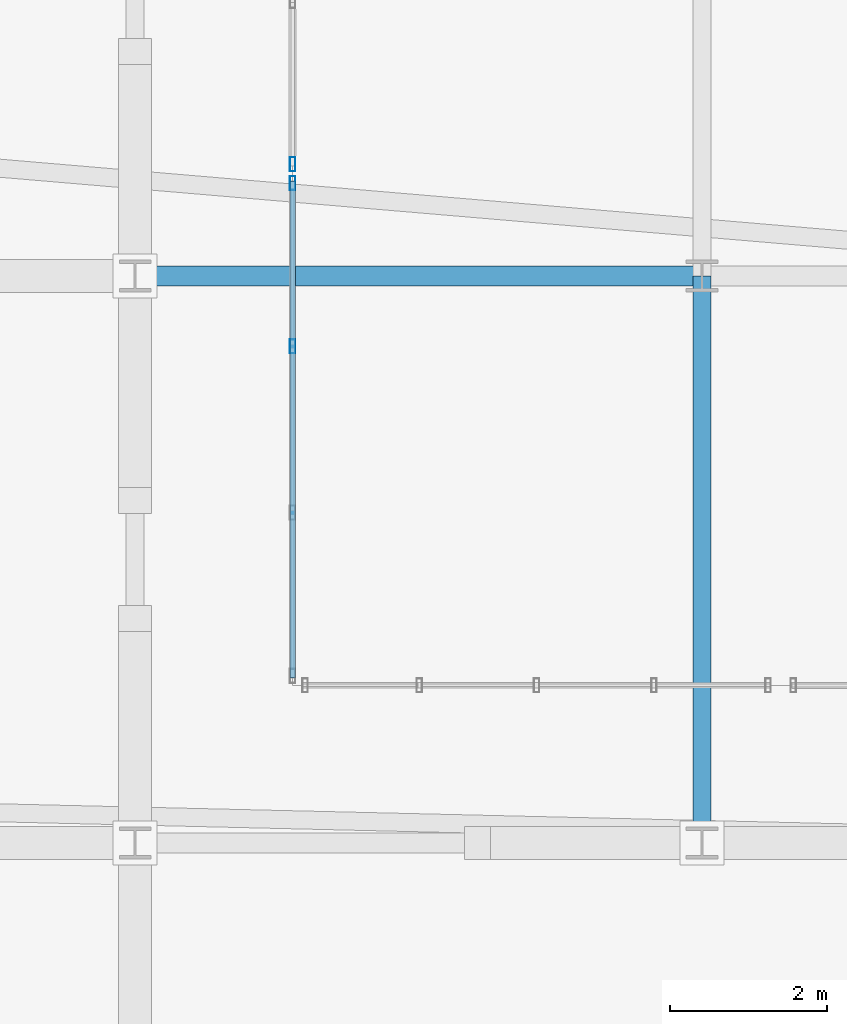
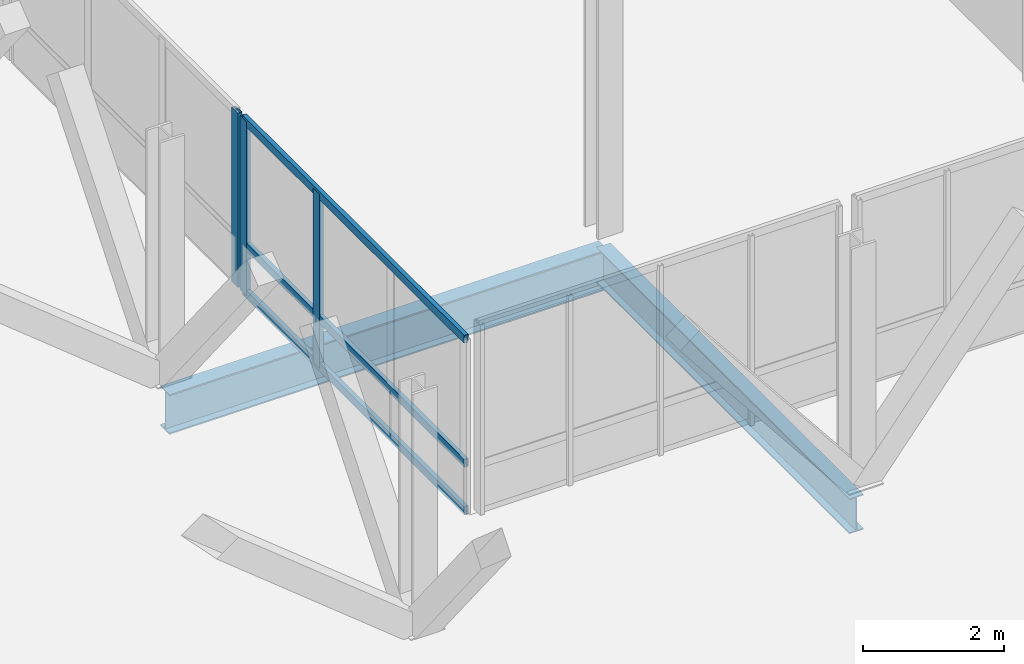
# One storey, part 11 of 102: 6 members, 2 beams, 2 elements without a shape of their own.
"""IFC4 building model written with IfcOpenShell, lengths in metres."""

from ifc_helpers import new_model, si_unit, direction, frame, origin, origin_2d, place, context, subcontext, project, spatial, hollow_rectangle, i_section, extrude, material, material_profile, profile_set, type_object, element, aggregate, save


model = new_model("IFC4")

# Units and contexts
model_context = context("Model", 3, precision=1e-05, world=origin(), true_north=direction((0.0, 1.0)))
body_context = subcontext(model_context, "Body", "Model", "MODEL_VIEW")
ifc_project = project(units=[si_unit("LENGTHUNIT", "METRE"), si_unit("AREAUNIT", "SQUARE_METRE"), si_unit("VOLUMEUNIT", "CUBIC_METRE"), si_unit("PLANEANGLEUNIT", "RADIAN"), si_unit("MASSUNIT", "GRAM", prefix="KILO")], contexts=[model_context])

# Site, building, storey
site_placement = place(None, origin())
site = spatial("IfcSite", under=ifc_project, at=site_placement, CompositionType="ELEMENT")
building_placement = place(site_placement, origin())
building = spatial("IfcBuilding", under=site, at=building_placement, Name="Yarey Park Central Fire Station", CompositionType="ELEMENT")
storey_placement = place(building_placement, frame((0.0, 0.0, 6.0)))
storey = spatial("IfcBuildingStorey", under=building, at=storey_placement, Name="L02", CompositionType="ELEMENT", Elevation=6.0)

# Curtain wall, members
ifc_material_1 = material(Name="Anodized Aluminium Frame", Category="aluminium")
curtain_wall_type = type_object("IfcCurtainWallType", Name="ENV_CW_V3_GALW", PredefinedType="NOTDEFINED", material=ifc_material_1)
curtain_wall_1_placement = place(storey_placement, origin())
curtain_wall_1 = element("IfcCurtainWall", 1, at=curtain_wall_1_placement, inside=storey, type_object=curtain_wall_type, Name="CW_L02_V1_W_030", PredefinedType="NOTDEFINED")
ifc_material_profile_1 = material_profile(ifc_material_1, hollow_rectangle(XDim=0.070068359375, YDim=0.179931640625, WallThickness=0.00390625, at=origin_2d()), Name="ALU 180x70x4")
ifc_profile_set_1 = profile_set([ifc_material_profile_1], Name="Anodized Aluminium Frame")
member_type_1 = type_object("IfcMemberType", Name="ENV_CW_MULLION", PredefinedType="MULLION", material=ifc_profile_set_1)
member_1_placement = place(storey_placement, frame((16.39990234375, 29.97998046875, 0.0), z_axis=(0.0, 0.0, 1.0), x_axis=(1.0, 0.0, 0.0)))
member_1 = element("IfcMember", 2, at=member_1_placement, type_object=member_type_1, Name="CW_L02_V1_W_030_MUL1", PredefinedType="MULLION", context=body_context, shape_type="SweptSolid", body=[
    extrude(hollow_rectangle(XDim=0.070068359375, YDim=0.179931640625, WallThickness=0.00390625, at=origin_2d()), origin(), (0.0, 0.0, 1.0), 3.028076171875),
])
member_2_placement = place(storey_placement, frame((16.39990234375, 27.90673828125, 0.0), z_axis=(0.0, 0.0, 1.0), x_axis=(1.0, 0.0, 0.0)))
member_2 = element("IfcMember", 3, at=member_2_placement, type_object=member_type_1, Name="CW_L02_V1_W_030_MUL2", PredefinedType="MULLION", context=body_context, shape_type="SweptSolid", body=[
    extrude(hollow_rectangle(XDim=0.070068359375, YDim=0.179931640625, WallThickness=0.00390625, at=origin_2d()), origin(), (0.0, 0.0, 1.0), 3.028076171875),
])

# Curtain wall, member
curtain_wall_2_placement = place(storey_placement, origin())
curtain_wall_2 = element("IfcCurtainWall", 4, at=curtain_wall_2_placement, inside=storey, type_object=curtain_wall_type, Name="CW_L02_V1_W_031", PredefinedType="NOTDEFINED")
member_3_placement = place(storey_placement, frame((16.39990234375, 30.219970703125, 0.0), z_axis=(0.0, 0.0, 1.0), x_axis=(1.0, 0.0, 0.0)))
member_3 = element("IfcMember", 5, at=member_3_placement, type_object=member_type_1, Name="CW_L02_V1_W_031_MUL4", PredefinedType="MULLION", context=body_context, shape_type="SweptSolid", body=[
    extrude(hollow_rectangle(XDim=0.070068359375, YDim=0.179931640625, WallThickness=0.00390625, at=origin_2d()), origin(), (0.0, 0.0, 1.0), 3.028076171875),
])
aggregate(curtain_wall_2, [member_3])

# Member
ifc_material_profile_2 = material_profile(ifc_material_1, hollow_rectangle(XDim=0.070068359375, YDim=0.139892578125, WallThickness=0.00390625, at=origin_2d()), Name="ALU 140x70x4")
ifc_profile_set_2 = profile_set([ifc_material_profile_2], Name="Anodized Aluminium Frame")
member_type_2 = type_object("IfcMemberType", Name="ENV_CW_TRANSOM", PredefinedType="USERDEFINED", material=ifc_profile_set_2)
member_4_placement = place(storey_placement, frame((16.39990234375, 30.0048828125, 0.02490234375), z_axis=(0.0, -1.0, 0.0), x_axis=(1.0, 0.0, 0.0)))
member_4 = element("IfcMember", 6, at=member_4_placement, type_object=member_type_2, Name="CW_L02_V1_W_030_TRN1", ObjectType="TRANSOM", PredefinedType="USERDEFINED", context=body_context, shape_type="SweptSolid", body=[
    extrude(hollow_rectangle(XDim=0.070068359375, YDim=0.139892578125, WallThickness=0.00390625, at=origin_2d()), origin(), (0.0, 0.0, 1.0), 6.309814453125),
])

member_5_placement = place(storey_placement, frame((16.39990234375, 30.0048828125, 0.85009765625), z_axis=(0.0, -1.0, 0.0), x_axis=(1.0, 0.0, 0.0)))
member_5 = element("IfcMember", 7, at=member_5_placement, type_object=member_type_2, Name="CW_L02_V1_W_030_TRN2", ObjectType="TRANSOM", PredefinedType="USERDEFINED", context=body_context, shape_type="SweptSolid", body=[
    extrude(hollow_rectangle(XDim=0.070068359375, YDim=0.139892578125, WallThickness=0.00390625, at=origin_2d()), origin(), (0.0, 0.0, 1.0), 6.309814453125),
])

member_6_placement = place(storey_placement, frame((16.39990234375, 30.0048828125, 3.0029296875), z_axis=(0.0, -1.0, 0.0), x_axis=(1.0, 0.0, 0.0)))
member_6 = element("IfcMember", 8, at=member_6_placement, type_object=member_type_2, Name="CW_L02_V1_W_030_TRN3", ObjectType="TRANSOM", PredefinedType="USERDEFINED", context=body_context, shape_type="SweptSolid", body=[
    extrude(hollow_rectangle(XDim=0.070068359375, YDim=0.139892578125, WallThickness=0.00390625, at=origin_2d()), origin(), (0.0, 0.0, 1.0), 6.309814453125),
])

aggregate(curtain_wall_1, [member_1, member_2, member_4, member_5, member_6])

# Beams
ifc_material_2 = material(Name="Steel ASTM A992 Gr. 50", Category="steel")
ifc_material_profile_3 = material_profile(ifc_material_2, i_section(OverallWidth=0.22900390625, OverallDepth=0.612060546875, WebThickness=0.011962890625, FlangeThickness=0.01953125, at=origin_2d()), Name="W610x125")
ifc_profile_set_3 = profile_set([ifc_material_profile_3], Name="Steel ASTM A992 Gr. 50")
beam_type_1 = type_object("IfcBeamType", Name="STR_BM_W610", PredefinedType="BEAM", material=ifc_profile_set_3)
beam_1_placement = place(storey_placement, frame((21.60009765625, 21.60009765625, -0.591064453125), z_axis=(0.0, 1.0, 0.0), x_axis=(-1.0, 0.0, 0.0)))
element("IfcBeam", 9, at=beam_1_placement, inside=storey, type_object=beam_type_1, Name="DRUM L02 BY21 Y216", PredefinedType="BEAM", context=body_context, shape_type="SweptSolid", body=[
    extrude(i_section(OverallWidth=0.22900390625, OverallDepth=0.612060546875, WebThickness=0.011962890625, FlangeThickness=0.01953125, at=origin_2d()), origin(), (0.0, 0.0, 1.0), 7.199951171875),
])
ifc_material_profile_4 = material_profile(ifc_material_2, i_section(OverallWidth=0.256103515625, OverallDepth=0.693115234375, WebThickness=0.014404296875, FlangeThickness=0.023681640625, at=origin_2d()), Name="W690x170")
ifc_profile_set_4 = profile_set([ifc_material_profile_4], Name="Steel ASTM A992 Gr. 50")
beam_type_2 = type_object("IfcBeamType", Name="STR_BM_W690", PredefinedType="BEAM", material=ifc_profile_set_4)
beam_2_placement = place(storey_placement, frame((14.39990234375, 28.800048828125, -0.631591796875), z_axis=(1.0, 0.0, 0.0), x_axis=(0.0, 1.0, 0.0)))
element("IfcBeam", 10, at=beam_2_placement, inside=storey, type_object=beam_type_2, Name="DRUM L02 G1 Y288", PredefinedType="BEAM", context=body_context, shape_type="SweptSolid", body=[
    extrude(i_section(OverallWidth=0.256103515625, OverallDepth=0.693115234375, WebThickness=0.014404296875, FlangeThickness=0.023681640625, at=origin_2d()), origin(), (0.0, 0.0, 1.0), 7.2001953125),
])

save(model, "model.ifc")
